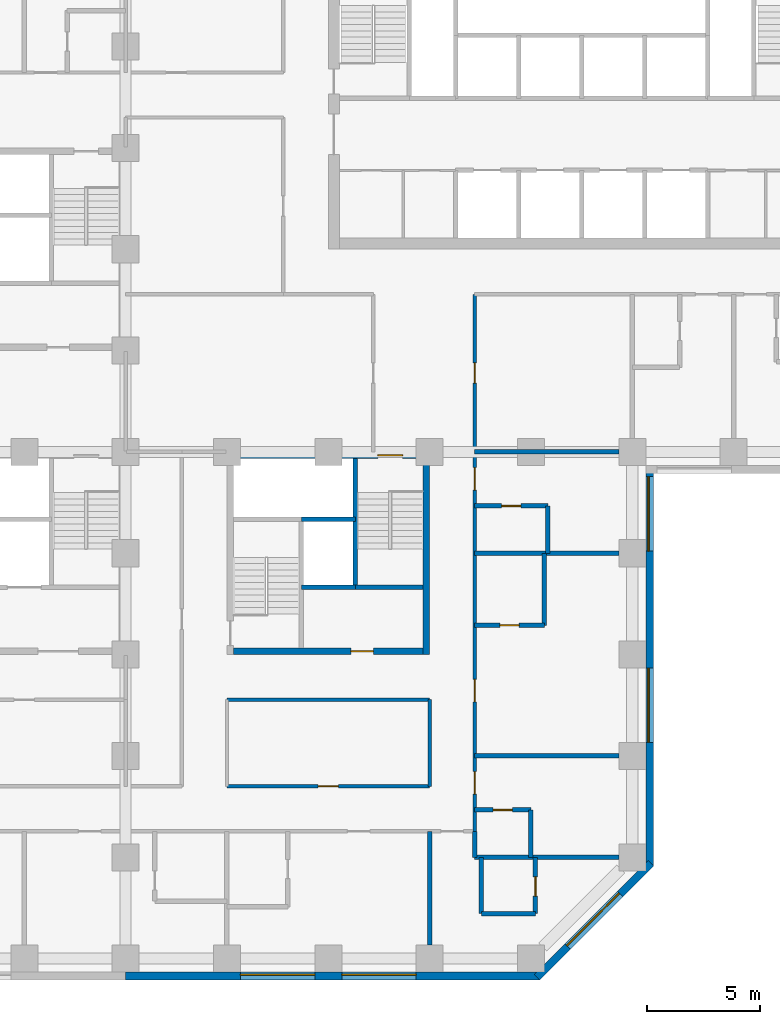
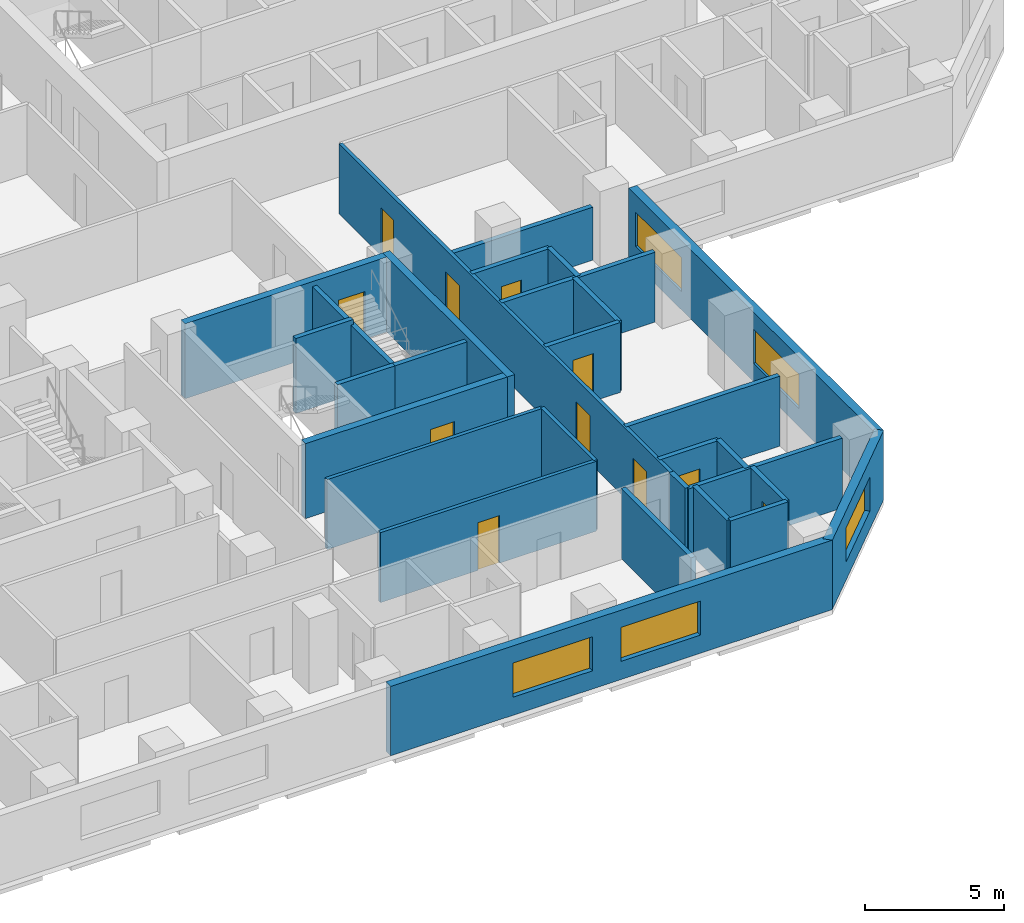
# One storey, part 4 of 12: 29 walls, 11 doors, 5 windows, 16 openings.
"""IFC4 building model written with IfcOpenShell, lengths in metres."""

from ifc_helpers import new_model, si_unit, direction, frame, frame_2d, origin, place, context, subcontext, project, spatial, rectangle, extrude, material, layer, layer_set, constituent, constituent_set, type_object, element, fill, save


model = new_model("IFC4")

# Units and contexts
model_context = context("Model", 3, precision=1e-05, world=origin(), true_north=direction((0.0, 1.0)))
body_context = subcontext(model_context, "Body", "Model", "MODEL_VIEW")
ifc_project = project(units=[si_unit("LENGTHUNIT", "METRE"), si_unit("AREAUNIT", "SQUARE_METRE"), si_unit("VOLUMEUNIT", "CUBIC_METRE"), si_unit("PLANEANGLEUNIT", "RADIAN"), si_unit("MASSUNIT", "GRAM", prefix="KILO")], contexts=[model_context])

# Site, building, storey
site_placement = place(None, origin())
site = spatial("IfcSite", under=ifc_project, at=site_placement, CompositionType="ELEMENT")
building_placement = place(site_placement, origin())
building = spatial("IfcBuilding", under=site, at=building_placement, Name="Quoin Convention Tower", CompositionType="ELEMENT")
storey_placement = place(building_placement, frame((0.0, 0.0, 42.89990234375)))
storey = spatial("IfcBuildingStorey", under=building, at=storey_placement, Name="L10", CompositionType="ELEMENT", Elevation=42.89990234375)

# Wall, openings, windows
ifc_material_1 = material(Name="Brick masonry", Category="masonry")
ifc_layer_1 = layer(ifc_material_1, 0.35009765625)
ifc_layer_set_1 = layer_set([ifc_layer_1], Name="Brick masonry")
wall_type_1 = type_object("IfcWallType", Name="Brick facade wall", PredefinedType="STANDARD", material=ifc_layer_set_1)
wall_1_placement = place(storey_placement, frame((36.0, 17.22509765625, 0.0), z_axis=(0.0, 0.0, 1.0), x_axis=(1.0, 0.0, 0.0)))
wall_1 = element("IfcWall", 1, at=wall_1_placement, inside=storey, type_object=wall_type_1, Name="fw-L10-36000_18000", PredefinedType="STANDARD", context=body_context, shape_type="SweptSolid", body=[
    extrude(rectangle(XDim=18.3935546875, YDim=0.35009765625, at=frame_2d((9.19677734375, 0.0))), origin(), (0.0, 0.0, 1.0), 3.05517578125),
])
opening_1_placement = place(wall_1_placement, frame((5.10009765625, 0.0, 0.800048828125)))
opening_1 = element("IfcOpeningElement", 2, at=opening_1_placement, cuts=wall_1, Name="Opening W-01", PredefinedType="OPENING", context=body_context, shape_type="SweptSolid", body=[
    extrude(rectangle(XDim=3.300048828125, YDim=1.5, at=frame_2d((1.64990234375, 0.75))), frame((0.0, 0.18505859375, 0.0), z_axis=(0.0, -1.0, 0.0), x_axis=(1.0, 0.0, 0.0)), (0.0, 0.0, 1.0), 0.3701171875),
])
opening_2_placement = place(wall_1_placement, frame((9.60009765625, 0.0, 0.800048828125)))
opening_2 = element("IfcOpeningElement", 3, at=opening_2_placement, cuts=wall_1, Name="Opening W-01", PredefinedType="OPENING", context=body_context, shape_type="SweptSolid", body=[
    extrude(rectangle(XDim=3.300048828125, YDim=1.5, at=frame_2d((1.64990234375, 0.75))), frame((0.0, 0.18505859375, 0.0), z_axis=(0.0, -1.0, 0.0), x_axis=(1.0, 0.0, 0.0)), (0.0, 0.0, 1.0), 0.3701171875),
])
ifc_material_2 = material(Name="Aluminium", Category="aluminium")
ifc_constituent_1 = constituent(ifc_material_2, Name="Frame")
ifc_material_3 = material(Name="Insulated glass", Category="glass")
ifc_constituent_2 = constituent(ifc_material_3, Name="Glazing")
ifc_constituent_set = constituent_set(constituents=[ifc_constituent_1, ifc_constituent_2], Name="Aluminium")
window_type = type_object("IfcWindowType", Name="Hotel strip window", PartitioningType="DOUBLE_PANEL_VERTICAL", PredefinedType="WINDOW", material=ifc_constituent_set)
window_1_placement = place(opening_1_placement, origin())
window_1 = element("IfcWindow", 4, at=window_1_placement, inside=storey, type_object=window_type, Name="win-L10-42750_17225", OverallHeight=1.5, OverallWidth=3.300048828125, PartitioningType="SINGLE_PANEL", PredefinedType="WINDOW", context=body_context, shape_type="SweptSolid", body=[
    extrude(rectangle(XDim=3.300048828125, YDim=1.5, at=frame_2d((1.64990234375, 0.75))), frame((0.0, 0.0849609375, 0.0), z_axis=(0.0, -1.0, 0.0), x_axis=(1.0, 0.0, 0.0)), (0.0, 0.0, 1.0), 0.06005859375),
])
fill(opening_1, window_1)
window_2_placement = place(opening_2_placement, origin())
window_2 = element("IfcWindow", 5, at=window_2_placement, inside=storey, type_object=window_type, Name="win-L10-47250_17225", OverallHeight=1.5, OverallWidth=3.300048828125, PartitioningType="SINGLE_PANEL", PredefinedType="WINDOW", context=body_context, shape_type="SweptSolid", body=[
    extrude(rectangle(XDim=3.300048828125, YDim=1.5, at=frame_2d((1.64990234375, 0.75))), frame((0.0, 0.0849609375, 0.0), z_axis=(0.0, -1.0, 0.0), x_axis=(1.0, 0.0, 0.0)), (0.0, 0.0, 1.0), 0.06005859375),
])
fill(opening_2, window_2)

# Wall, opening, window
wall_2_placement = place(storey_placement, frame((54.269775390625, 17.173583984375, 0.0), z_axis=(0.0, 0.0, 1.0), x_axis=(0.707106781187, 0.707106781187, 0.0)))
wall_2 = element("IfcWall", 6, at=wall_2_placement, inside=storey, type_object=wall_type_1, Name="fw-L10-54000_18000", PredefinedType="STANDARD", context=body_context, shape_type="SweptSolid", body=[
    extrude(rectangle(XDim=7.151123046875, YDim=0.35009765625, at=frame_2d((3.57568359375, 0.0))), origin(), (0.0, 0.0, 1.0), 3.05517578125),
])
opening_3_placement = place(wall_2_placement, frame((1.925537109375, 0.0, 0.800048828125)))
opening_3 = element("IfcOpeningElement", 7, at=opening_3_placement, cuts=wall_2, Name="Opening W-01", PredefinedType="OPENING", context=body_context, shape_type="SweptSolid", body=[
    extrude(rectangle(XDim=3.300048828125, YDim=1.5, at=frame_2d((1.64990234375, 0.75))), frame((0.0, 0.18505859375, 0.0), z_axis=(0.0, -1.0, 0.0), x_axis=(1.0, 0.0, 0.0)), (0.0, 0.0, 1.0), 0.3701171875),
])
window_3_placement = place(opening_3_placement, origin())
window_3 = element("IfcWindow", 8, at=window_3_placement, inside=storey, type_object=window_type, Name="win-L10-56798_19702", OverallHeight=1.5, OverallWidth=3.300048828125, PartitioningType="SINGLE_PANEL", PredefinedType="WINDOW", context=body_context, shape_type="SweptSolid", body=[
    extrude(rectangle(XDim=3.300048828125, YDim=1.5, at=frame_2d((1.64990234375, 0.75))), frame((0.0, 0.0849609375, 0.0), z_axis=(0.0, -1.0, 0.0), x_axis=(1.0, 0.0, 0.0)), (0.0, 0.0, 1.0), 0.06005859375),
])
fill(opening_3, window_3)

# Wall, openings, windows
wall_3_placement = place(storey_placement, frame((59.27490234375, 22.1064453125, 0.0), z_axis=(0.0, 0.0, 1.0), x_axis=(0.0, 1.0, 0.0)))
wall_3 = element("IfcWall", 9, at=wall_3_placement, inside=storey, type_object=wall_type_1, Name="fw-L10-58500_22500", PredefinedType="STANDARD", context=body_context, shape_type="SweptSolid", body=[
    extrude(rectangle(XDim=17.79345703125, YDim=0.35009765625, at=frame_2d((8.896728515625, 0.0))), origin(), (0.0, 0.0, 1.0), 3.05517578125),
])
opening_4_placement = place(wall_3_placement, frame((5.493408203125, 0.0, 0.800048828125)))
opening_4 = element("IfcOpeningElement", 10, at=opening_4_placement, cuts=wall_3, Name="Opening W-01", PredefinedType="OPENING", context=body_context, shape_type="SweptSolid", body=[
    extrude(rectangle(XDim=3.300048828125, YDim=1.5, at=frame_2d((1.64990234375, 0.75))), frame((0.0, 0.18505859375, 0.0), z_axis=(0.0, -1.0, 0.0), x_axis=(1.0, 0.0, 0.0)), (0.0, 0.0, 1.0), 0.3701171875),
])
opening_5_placement = place(wall_3_placement, frame((13.993408203125, 0.0, 0.800048828125)))
opening_5 = element("IfcOpeningElement", 11, at=opening_5_placement, cuts=wall_3, Name="Opening W-01", PredefinedType="OPENING", context=body_context, shape_type="SweptSolid", body=[
    extrude(rectangle(XDim=3.300048828125, YDim=1.5, at=frame_2d((1.64990234375, 0.75))), frame((0.0, 0.18505859375, 0.0), z_axis=(0.0, -1.0, 0.0), x_axis=(1.0, 0.0, 0.0)), (0.0, 0.0, 1.0), 0.3701171875),
])
window_4_placement = place(opening_4_placement, origin())
window_4 = element("IfcWindow", 12, at=window_4_placement, inside=storey, type_object=window_type, Name="win-L10-59275_29250", OverallHeight=1.5, OverallWidth=3.300048828125, PartitioningType="SINGLE_PANEL", PredefinedType="WINDOW", context=body_context, shape_type="SweptSolid", body=[
    extrude(rectangle(XDim=3.300048828125, YDim=1.5, at=frame_2d((1.64990234375, 0.75))), frame((0.0, 0.0849609375, 0.0), z_axis=(0.0, -1.0, 0.0), x_axis=(1.0, 0.0, 0.0)), (0.0, 0.0, 1.0), 0.06005859375),
])
fill(opening_4, window_4)
window_5_placement = place(opening_5_placement, origin())
window_5 = element("IfcWindow", 13, at=window_5_placement, inside=storey, type_object=window_type, Name="win-L10-59275_38250", OverallHeight=1.5, OverallWidth=3.300048828125, PartitioningType="SINGLE_PANEL", PredefinedType="WINDOW", context=body_context, shape_type="SweptSolid", body=[
    extrude(rectangle(XDim=3.300048828125, YDim=1.5, at=frame_2d((1.64990234375, 0.75))), frame((0.0, 0.0849609375, 0.0), z_axis=(0.0, -1.0, 0.0), x_axis=(1.0, 0.0, 0.0)), (0.0, 0.0, 1.0), 0.06005859375),
])
fill(opening_5, window_5)

# Walls
ifc_material_4 = material(Name="Concrete C50", Category="concrete")
ifc_layer_2 = layer(ifc_material_4, 0.199951171875)
ifc_layer_set_2 = layer_set([ifc_layer_2], Name="Concrete C50")
wall_type_2 = type_object("IfcWallType", Name="Core shaft wall", PredefinedType="SOLIDWALL", material=ifc_layer_set_2)
wall_4_placement = place(storey_placement, frame((43.800048828125, 34.5, 0.0), z_axis=(0.0, 0.0, 1.0), x_axis=(1.0, 0.0, 0.0)))
element("IfcWall", 14, at=wall_4_placement, inside=storey, type_object=wall_type_2, Name="cr-P3-L10-h3000_3300", PredefinedType="SOLIDWALL", context=body_context, shape_type="SweptSolid", body=[
    extrude(rectangle(XDim=2.39990234375, YDim=0.199951171875, at=frame_2d((1.199951171875, 0.0))), origin(), (0.0, 0.0, 1.0), 3.080078125),
])
wall_5_placement = place(storey_placement, frame((46.199951171875, 34.5, 0.0), z_axis=(0.0, 0.0, 1.0), x_axis=(1.0, 0.0, 0.0)))
element("IfcWall", 15, at=wall_5_placement, inside=storey, type_object=wall_type_2, Name="cr-P3-L10-h3000_5700", PredefinedType="SOLIDWALL", context=body_context, shape_type="SweptSolid", body=[
    extrude(rectangle(XDim=3.0, YDim=0.199951171875, at=frame_2d((1.5, 0.0))), origin(), (0.0, 0.0, 1.0), 3.080078125),
])
wall_6_placement = place(storey_placement, frame((46.199951171875, 34.5, 0.0), z_axis=(0.0, 0.0, 1.0), x_axis=(0.0, 1.0, 0.0)))
element("IfcWall", 16, at=wall_6_placement, inside=storey, type_object=wall_type_2, Name="cr-P3-L10-v5700_3000", PredefinedType="SOLIDWALL", context=body_context, shape_type="SweptSolid", body=[
    extrude(rectangle(XDim=5.699951171875, YDim=0.199951171875, at=frame_2d((2.85009765625, 0.0))), origin(), (0.0, 0.0, 1.0), 3.080078125),
])
ifc_layer_3 = layer(ifc_material_4, 0.199951171875)
ifc_layer_set_3 = layer_set([ifc_layer_3], Name="Concrete C50")
wall_type_3 = type_object("IfcWallType", Name="Core shaft wall to the floor level over", PredefinedType="SOLIDWALL", material=ifc_layer_set_3)
wall_7_placement = place(storey_placement, frame((43.800048828125, 37.5, 0.0), z_axis=(0.0, 0.0, 1.0), x_axis=(1.0, 0.0, 0.0)))
element("IfcWall", 17, at=wall_7_placement, inside=storey, type_object=wall_type_3, Name="cr-P3-L10-h6000_3300", PredefinedType="SOLIDWALL", context=body_context, shape_type="SweptSolid", body=[
    extrude(rectangle(XDim=2.39990234375, YDim=0.199951171875, at=frame_2d((1.199951171875, 0.0))), origin(), (0.0, 0.0, 1.0), 3.300048828125),
])

# Wall, opening, door
ifc_material_5 = material(Name="Concrete C80", Category="concrete")
ifc_layer_4 = layer(ifc_material_5, 0.300048828125)
ifc_layer_set_4 = layer_set([ifc_layer_4], Name="Concrete C80")
wall_type_4 = type_object("IfcWallType", Name="RC CORE WALL 300 C80", PredefinedType="SHEAR", material=ifc_layer_set_4)
wall_8_placement = place(storey_placement, frame((40.800048828125, 31.64990234375, 0.0), z_axis=(0.0, 0.0, 1.0), x_axis=(1.0, 0.0, 0.0)))
wall_8 = element("IfcWall", 18, at=wall_8_placement, inside=storey, type_object=wall_type_4, Name="cwl-P3-L10-S", PredefinedType="SHEAR", context=body_context, shape_type="SweptSolid", body=[
    extrude(rectangle(XDim=8.39990234375, YDim=0.300048828125, at=frame_2d((4.199951171875, 0.0))), origin(), (0.0, 0.0, 1.0), 3.300048828125),
])
opening_6_placement = place(wall_8_placement, frame((5.199951171875, 0.0, 0.0)))
opening_6 = element("IfcOpeningElement", 19, at=opening_6_placement, cuts=wall_8, Name="Opening DCV4-43", PredefinedType="OPENING", context=body_context, shape_type="SweptSolid", body=[
    extrude(rectangle(XDim=1.0, YDim=2.10009765625, at=frame_2d((0.5, 1.050048828125))), frame((0.0, 0.159912109375, 0.0), z_axis=(0.0, -1.0, 0.0), x_axis=(1.0, 0.0, 0.0)), (0.0, 0.0, 1.0), 0.320068359375),
])
ifc_material_6 = material(Name="Steel door leaf", Category="steel")
door_type_1 = type_object("IfcDoorType", Name="Service door 1000 x 2100", OperationType="SINGLE_SWING_LEFT", PredefinedType="DOOR", material=ifc_material_6)
door_1_placement = place(opening_6_placement, origin())
door_1 = element("IfcDoor", 20, at=door_1_placement, inside=storey, type_object=door_type_1, Name="cd-P3-L10-R2-S", OperationType="SINGLE_SWING_LEFT", OverallHeight=2.10009765625, OverallWidth=1.0, PredefinedType="DOOR", context=body_context, shape_type="SweptSolid", body=[
    extrude(rectangle(XDim=1.0, YDim=2.10009765625, at=frame_2d((0.5, 1.050048828125))), frame((0.0, 0.02490234375, 0.0), z_axis=(0.0, -1.0, 0.0), x_axis=(1.0, 0.0, 0.0)), (0.0, 0.0, 1.0), 0.050048828125),
])
fill(opening_6, door_1)

wall_9_placement = place(storey_placement, frame((40.800048828125, 40.35009765625, 0.0), z_axis=(0.0, 0.0, 1.0), x_axis=(1.0, 0.0, 0.0)))
wall_9 = element("IfcWall", 21, at=wall_9_placement, inside=storey, type_object=wall_type_4, Name="cwl-P3-L10-N", PredefinedType="SHEAR", context=body_context, shape_type="SweptSolid", body=[
    extrude(rectangle(XDim=8.39990234375, YDim=0.300048828125, at=frame_2d((4.199951171875, 0.0))), origin(), (0.0, 0.0, 1.0), 3.300048828125),
])
opening_7_placement = place(wall_9_placement, frame((6.39990234375, 0.0, 0.0)))
opening_7 = element("IfcOpeningElement", 22, at=opening_7_placement, cuts=wall_9, Name="Opening SD6", PredefinedType="OPENING", context=body_context, shape_type="SweptSolid", body=[
    extrude(rectangle(XDim=1.10009765625, YDim=2.10009765625, at=frame_2d((0.550048828125, 1.050048828125))), frame((0.0, 0.159912109375, 0.0), z_axis=(0.0, -1.0, 0.0), x_axis=(1.0, 0.0, 0.0)), (0.0, 0.0, 1.0), 0.320068359375),
])
door_type_2 = type_object("IfcDoorType", Name="Stair door 1100 x 2100", OperationType="SINGLE_SWING_RIGHT", PredefinedType="DOOR", material=ifc_material_6)
door_2_placement = place(opening_7_placement, frame((1.10009765625, 0.0, 0.0), z_axis=(0.0, 0.0, 1.0), x_axis=(-1.0, 0.0, 0.0)))
door_2 = element("IfcDoor", 23, at=door_2_placement, inside=storey, type_object=door_type_2, Name="cd-P3-L10-SB-N", OperationType="SINGLE_SWING_LEFT", OverallHeight=2.10009765625, OverallWidth=1.10009765625, PredefinedType="DOOR", context=body_context, shape_type="SweptSolid", body=[
    extrude(rectangle(XDim=1.10009765625, YDim=2.10009765625, at=frame_2d((0.550048828125, 1.050048828125))), frame((0.0, 0.02490234375, 0.0), z_axis=(0.0, -1.0, 0.0), x_axis=(1.0, 0.0, 0.0)), (0.0, 0.0, 1.0), 0.050048828125),
])
fill(opening_7, door_2)

# Walls
wall_10_placement = place(storey_placement, frame((49.35009765625, 31.5, 0.0), z_axis=(0.0, 0.0, 1.0), x_axis=(0.0, 1.0, 0.0)))
element("IfcWall", 24, at=wall_10_placement, inside=storey, type_object=wall_type_4, Name="cwl-P3-L10-E", PredefinedType="SHEAR", context=body_context, shape_type="SweptSolid", body=[
    extrude(rectangle(XDim=9.0, YDim=0.300048828125, at=frame_2d((4.5, 0.0))), origin(), (0.0, 0.0, 1.0), 3.300048828125),
])
ifc_layer_5 = layer(ifc_material_4, 0.199951171875)
ifc_layer_set_5 = layer_set([ifc_layer_5], Name="Concrete C50")
wall_type_5 = type_object("IfcWallType", Name="RC party wall", PredefinedType="SOLIDWALL", material=ifc_layer_set_5)
wall_11_placement = place(storey_placement, frame((49.5, 18.60009765625, 0.0), z_axis=(0.0, 0.0, 1.0), x_axis=(0.0, 1.0, 0.0)))
element("IfcWall", 25, at=wall_11_placement, inside=storey, type_object=wall_type_5, Name="pw-L10-040", PredefinedType="SOLIDWALL", context=body_context, shape_type="SweptSolid", body=[
    extrude(rectangle(XDim=5.0498046875, YDim=0.199951171875, at=frame_2d((2.52490234375, 0.0))), origin(), (0.0, 0.0, 1.0), 3.080078125),
])
wall_12_placement = place(storey_placement, frame((51.800048828125, 20.0, 0.0), z_axis=(0.0, 0.0, 1.0), x_axis=(1.0, 0.0, 0.0)))
element("IfcWall", 26, at=wall_12_placement, inside=storey, type_object=wall_type_5, Name="pw-L10-044", PredefinedType="SOLIDWALL", context=body_context, shape_type="SweptSolid", body=[
    extrude(rectangle(XDim=2.39990234375, YDim=0.199951171875, at=frame_2d((1.199951171875, 0.0))), origin(), (0.0, 0.0, 1.0), 3.080078125),
])
wall_13_placement = place(storey_placement, frame((51.800048828125, 20.0, 0.0), z_axis=(0.0, 0.0, 1.0), x_axis=(0.0, 1.0, 0.0)))
element("IfcWall", 27, at=wall_13_placement, inside=storey, type_object=wall_type_5, Name="pw-L10-045", PredefinedType="SOLIDWALL", context=body_context, shape_type="SweptSolid", body=[
    extrude(rectangle(XDim=2.5, YDim=0.199951171875, at=frame_2d((1.25, 0.0))), origin(), (0.0, 0.0, 1.0), 3.080078125),
])

# Wall, opening, door
wall_14_placement = place(storey_placement, frame((54.199951171875, 20.0, 0.0), z_axis=(0.0, 0.0, 1.0), x_axis=(0.0, 1.0, 0.0)))
wall_14 = element("IfcWall", 28, at=wall_14_placement, inside=storey, type_object=wall_type_5, Name="pw-L10-046", PredefinedType="SOLIDWALL", context=body_context, shape_type="SweptSolid", body=[
    extrude(rectangle(XDim=2.5, YDim=0.199951171875, at=frame_2d((1.25, 0.0))), origin(), (0.0, 0.0, 1.0), 3.080078125),
])
opening_8_placement = place(wall_14_placement, frame((0.77490234375, 0.0, 0.0)))
opening_8 = element("IfcOpeningElement", 29, at=opening_8_placement, cuts=wall_14, Name="Opening DHOTEL-F-40", PredefinedType="OPENING", context=body_context, shape_type="SweptSolid", body=[
    extrude(rectangle(XDim=0.85009765625, YDim=2.10009765625, at=frame_2d((0.425048828125, 1.050048828125))), frame((0.0, 0.10986328125, 0.0), z_axis=(0.0, -1.0, 0.0), x_axis=(1.0, 0.0, 0.0)), (0.0, 0.0, 1.0), 0.219970703125),
])
door_type_3 = type_object("IfcDoorType", Name="Bathroom door", OperationType="SINGLE_SWING_LEFT", PredefinedType="DOOR", material=ifc_material_6)
door_3_placement = place(opening_8_placement, frame((0.85009765625, 0.0, 0.0), z_axis=(0.0, 0.0, 1.0), x_axis=(-1.0, 0.0, 0.0)))
door_3 = element("IfcDoor", 30, at=door_3_placement, inside=storey, type_object=door_type_3, Name="dr-L10-058", OperationType="SINGLE_SWING_LEFT", OverallHeight=2.10009765625, OverallWidth=0.85009765625, PredefinedType="DOOR", context=body_context, shape_type="SweptSolid", body=[
    extrude(rectangle(XDim=0.85009765625, YDim=2.10009765625, at=frame_2d((0.425048828125, 1.050048828125))), frame((0.0, 0.02490234375, 0.0), z_axis=(0.0, -1.0, 0.0), x_axis=(1.0, 0.0, 0.0)), (0.0, 0.0, 1.0), 0.050048828125),
])
fill(opening_8, door_3)

# Walls
wall_15_placement = place(storey_placement, frame((51.5, 22.5, 0.0), z_axis=(0.0, 0.0, 1.0), x_axis=(1.0, 0.0, 0.0)))
element("IfcWall", 31, at=wall_15_placement, inside=storey, type_object=wall_type_5, Name="pw-L10-056", PredefinedType="SOLIDWALL", context=body_context, shape_type="SweptSolid", body=[
    extrude(rectangle(XDim=6.39990234375, YDim=0.199951171875, at=frame_2d((3.199951171875, 0.0))), origin(), (0.0, 0.0, 1.0), 3.080078125),
])
wall_16_placement = place(storey_placement, frame((51.5, 22.5, 0.0), z_axis=(0.0, 0.0, 1.0), x_axis=(0.0, 1.0, 0.0)))
element("IfcWall", 32, at=wall_16_placement, inside=storey, type_object=wall_type_5, Name="pw-L10-057", PredefinedType="SOLIDWALL", context=body_context, shape_type="SweptSolid", body=[
    extrude(rectangle(XDim=1.14990234375, YDim=0.199951171875, at=frame_2d((0.574951171875, 0.0))), origin(), (0.0, 0.0, 1.0), 3.080078125),
])
wall_17_placement = place(storey_placement, frame((54.0, 22.5, 0.0), z_axis=(0.0, 0.0, 1.0), x_axis=(0.0, 1.0, 0.0)))
element("IfcWall", 33, at=wall_17_placement, inside=storey, type_object=wall_type_5, Name="pw-L10-058", PredefinedType="SOLIDWALL", context=body_context, shape_type="SweptSolid", body=[
    extrude(rectangle(XDim=2.10009765625, YDim=0.199951171875, at=frame_2d((1.050048828125, 0.0))), origin(), (0.0, 0.0, 1.0), 3.080078125),
])

# Wall, opening, door
wall_18_placement = place(storey_placement, frame((51.5, 24.60009765625, 0.0), z_axis=(0.0, 0.0, 1.0), x_axis=(1.0, 0.0, 0.0)))
wall_18 = element("IfcWall", 34, at=wall_18_placement, inside=storey, type_object=wall_type_5, Name="pw-L10-059", PredefinedType="SOLIDWALL", context=body_context, shape_type="SweptSolid", body=[
    extrude(rectangle(XDim=2.5, YDim=0.199951171875, at=frame_2d((1.25, 0.0))), origin(), (0.0, 0.0, 1.0), 3.080078125),
])
opening_9_placement = place(wall_18_placement, frame((0.824951171875, 0.0, 0.0)))
opening_9 = element("IfcOpeningElement", 35, at=opening_9_placement, cuts=wall_18, Name="Opening DHOTEL-F-44", PredefinedType="OPENING", context=body_context, shape_type="SweptSolid", body=[
    extrude(rectangle(XDim=0.85009765625, YDim=2.10009765625, at=frame_2d((0.425048828125, 1.050048828125))), frame((0.0, 0.10986328125, 0.0), z_axis=(0.0, -1.0, 0.0), x_axis=(1.0, 0.0, 0.0)), (0.0, 0.0, 1.0), 0.219970703125),
])
door_4_placement = place(opening_9_placement, frame((0.85009765625, 0.0, 0.0), z_axis=(0.0, 0.0, 1.0), x_axis=(-1.0, 0.0, 0.0)))
door_4 = element("IfcDoor", 36, at=door_4_placement, inside=storey, type_object=door_type_3, Name="dr-L10-018", OperationType="SINGLE_SWING_RIGHT", OverallHeight=2.10009765625, OverallWidth=0.85009765625, PredefinedType="DOOR", context=body_context, shape_type="SweptSolid", body=[
    extrude(rectangle(XDim=0.85009765625, YDim=2.10009765625, at=frame_2d((0.425048828125, 1.050048828125))), frame((0.0, 0.02490234375, 0.0), z_axis=(0.0, -1.0, 0.0), x_axis=(1.0, 0.0, 0.0)), (0.0, 0.0, 1.0), 0.050048828125),
])
fill(opening_9, door_4)

# Wall
wall_19_placement = place(storey_placement, frame((51.5, 27.0, 0.0), z_axis=(0.0, 0.0, 1.0), x_axis=(1.0, 0.0, 0.0)))
element("IfcWall", 37, at=wall_19_placement, inside=storey, type_object=wall_type_5, Name="pw-L10-062", PredefinedType="SOLIDWALL", context=body_context, shape_type="SweptSolid", body=[
    extrude(rectangle(XDim=6.39990234375, YDim=0.199951171875, at=frame_2d((3.199951171875, 0.0))), origin(), (0.0, 0.0, 1.0), 3.080078125),
])

# Wall, opening, door
wall_20_placement = place(storey_placement, frame((51.5, 32.800048828125, 0.0), z_axis=(0.0, 0.0, 1.0), x_axis=(1.0, 0.0, 0.0)))
wall_20 = element("IfcWall", 38, at=wall_20_placement, inside=storey, type_object=wall_type_5, Name="pw-L10-063", PredefinedType="SOLIDWALL", context=body_context, shape_type="SweptSolid", body=[
    extrude(rectangle(XDim=3.10009765625, YDim=0.199951171875, at=frame_2d((1.550048828125, 0.0))), origin(), (0.0, 0.0, 1.0), 3.080078125),
])
opening_10_placement = place(wall_20_placement, frame((1.125, 0.0, 0.0)))
opening_10 = element("IfcOpeningElement", 39, at=opening_10_placement, cuts=wall_20, Name="Opening DHOTEL-F-46", PredefinedType="OPENING", context=body_context, shape_type="SweptSolid", body=[
    extrude(rectangle(XDim=0.85009765625, YDim=2.10009765625, at=frame_2d((0.425048828125, 1.050048828125))), frame((0.0, 0.10986328125, 0.0), z_axis=(0.0, -1.0, 0.0), x_axis=(1.0, 0.0, 0.0)), (0.0, 0.0, 1.0), 0.219970703125),
])
door_5_placement = place(opening_10_placement, frame((0.85009765625, 0.0, 0.0), z_axis=(0.0, 0.0, 1.0), x_axis=(-1.0, 0.0, 0.0)))
door_5 = element("IfcDoor", 40, at=door_5_placement, inside=storey, type_object=door_type_3, Name="dr-L10-020", OperationType="SINGLE_SWING_RIGHT", OverallHeight=2.10009765625, OverallWidth=0.85009765625, PredefinedType="DOOR", context=body_context, shape_type="SweptSolid", body=[
    extrude(rectangle(XDim=0.85009765625, YDim=2.10009765625, at=frame_2d((0.425048828125, 1.050048828125))), frame((0.0, 0.02490234375, 0.0), z_axis=(0.0, -1.0, 0.0), x_axis=(1.0, 0.0, 0.0)), (0.0, 0.0, 1.0), 0.050048828125),
])
fill(opening_10, door_5)

# Walls
wall_21_placement = place(storey_placement, frame((54.60009765625, 32.800048828125, 0.0), z_axis=(0.0, 0.0, 1.0), x_axis=(0.0, 1.0, 0.0)))
element("IfcWall", 41, at=wall_21_placement, inside=storey, type_object=wall_type_5, Name="pw-L10-064", PredefinedType="SOLIDWALL", context=body_context, shape_type="SweptSolid", body=[
    extrude(rectangle(XDim=3.199951171875, YDim=0.199951171875, at=frame_2d((1.60009765625, 0.0))), origin(), (0.0, 0.0, 1.0), 3.080078125),
])
wall_22_placement = place(storey_placement, frame((51.5, 36.0, 0.0), z_axis=(0.0, 0.0, 1.0), x_axis=(1.0, 0.0, 0.0)))
element("IfcWall", 42, at=wall_22_placement, inside=storey, type_object=wall_type_5, Name="pw-L10-069", PredefinedType="SOLIDWALL", context=body_context, shape_type="SweptSolid", body=[
    extrude(rectangle(XDim=6.39990234375, YDim=0.199951171875, at=frame_2d((3.199951171875, 0.0))), origin(), (0.0, 0.0, 1.0), 3.080078125),
])
wall_23_placement = place(storey_placement, frame((54.75, 36.0, 0.0), z_axis=(0.0, 0.0, 1.0), x_axis=(0.0, 1.0, 0.0)))
element("IfcWall", 43, at=wall_23_placement, inside=storey, type_object=wall_type_5, Name="pw-L10-070", PredefinedType="SOLIDWALL", context=body_context, shape_type="SweptSolid", body=[
    extrude(rectangle(XDim=2.10009765625, YDim=0.199951171875, at=frame_2d((1.050048828125, 0.0))), origin(), (0.0, 0.0, 1.0), 3.080078125),
])

# Wall, opening, door
wall_24_placement = place(storey_placement, frame((51.5, 38.10009765625, 0.0), z_axis=(0.0, 0.0, 1.0), x_axis=(1.0, 0.0, 0.0)))
wall_24 = element("IfcWall", 44, at=wall_24_placement, inside=storey, type_object=wall_type_5, Name="pw-L10-071", PredefinedType="SOLIDWALL", context=body_context, shape_type="SweptSolid", body=[
    extrude(rectangle(XDim=3.25, YDim=0.199951171875, at=frame_2d((1.625, 0.0))), origin(), (0.0, 0.0, 1.0), 3.080078125),
])
opening_11_placement = place(wall_24_placement, frame((1.199951171875, 0.0, 0.0)))
opening_11 = element("IfcOpeningElement", 45, at=opening_11_placement, cuts=wall_24, Name="Opening DHOTEL-F-48", PredefinedType="OPENING", context=body_context, shape_type="SweptSolid", body=[
    extrude(rectangle(XDim=0.85009765625, YDim=2.10009765625, at=frame_2d((0.425048828125, 1.050048828125))), frame((0.0, 0.10986328125, 0.0), z_axis=(0.0, -1.0, 0.0), x_axis=(1.0, 0.0, 0.0)), (0.0, 0.0, 1.0), 0.219970703125),
])
door_6_placement = place(opening_11_placement, origin())
door_6 = element("IfcDoor", 46, at=door_6_placement, inside=storey, type_object=door_type_3, Name="dr-L10-022", OperationType="SINGLE_SWING_LEFT", OverallHeight=2.10009765625, OverallWidth=0.85009765625, PredefinedType="DOOR", context=body_context, shape_type="SweptSolid", body=[
    extrude(rectangle(XDim=0.85009765625, YDim=2.10009765625, at=frame_2d((0.425048828125, 1.050048828125))), frame((0.0, 0.02490234375, 0.0), z_axis=(0.0, -1.0, 0.0), x_axis=(1.0, 0.0, 0.0)), (0.0, 0.0, 1.0), 0.050048828125),
])
fill(opening_11, door_6)

# Wall, openings, doors
ifc_material_7 = material(Name="Plasterboard")
ifc_layer_6 = layer(ifc_material_7, 0.012451171875, Name="Finish")
ifc_material_8 = material(Name="Steel stud framing", Category="steel")
ifc_layer_7 = layer(ifc_material_8, 0.125, Name="Structure")
ifc_layer_8 = layer(ifc_material_7, 0.012451171875, Name="Finish")
ifc_layer_set_6 = layer_set([ifc_layer_6, ifc_layer_7, ifc_layer_8], Name="Steel stud framing")
wall_type_6 = type_object("IfcWallType", Name="corridor partition", PredefinedType="PARTITIONING", material=ifc_layer_set_6)
wall_25_placement = place(storey_placement, frame((51.5, 23.64990234375, 0.0), z_axis=(0.0, 0.0, 1.0), x_axis=(0.0, 1.0, 0.0)))
wall_25 = element("IfcWall", 47, at=wall_25_placement, inside=storey, type_object=wall_type_6, Name="pw-L10-005", PredefinedType="PARTITIONING", context=body_context, shape_type="SweptSolid", body=[
    extrude(rectangle(XDim=23.85009765625, YDim=0.14990234375, at=frame_2d((11.925048828125, 0.0))), origin(), (0.0, 0.0, 1.0), 3.080078125),
])
opening_12_placement = place(wall_25_placement, frame((1.64990234375, 0.0, 0.0)))
opening_12 = element("IfcOpeningElement", 48, at=opening_12_placement, cuts=wall_25, Name="Opening DHOTEL-F-10", PredefinedType="OPENING", context=body_context, shape_type="SweptSolid", body=[
    extrude(rectangle(XDim=1.0, YDim=2.10009765625, at=frame_2d((0.5, 1.050048828125))), frame((0.0, 0.0849609375, 0.0), z_axis=(0.0, -1.0, 0.0), x_axis=(1.0, 0.0, 0.0)), (0.0, 0.0, 1.0), 0.169921875),
])
opening_13_placement = place(wall_25_placement, frame((5.75, 0.0, 0.0)))
opening_13 = element("IfcOpeningElement", 49, at=opening_13_placement, cuts=wall_25, Name="Opening DHOTEL-F-11", PredefinedType="OPENING", context=body_context, shape_type="SweptSolid", body=[
    extrude(rectangle(XDim=1.0, YDim=2.10009765625, at=frame_2d((0.5, 1.050048828125))), frame((0.0, 0.0849609375, 0.0), z_axis=(0.0, -1.0, 0.0), x_axis=(1.0, 0.0, 0.0)), (0.0, 0.0, 1.0), 0.169921875),
])
opening_14_placement = place(wall_25_placement, frame((15.14990234375, 0.0, 0.0)))
opening_14 = element("IfcOpeningElement", 50, at=opening_14_placement, cuts=wall_25, Name="Opening DHOTEL-F-12", PredefinedType="OPENING", context=body_context, shape_type="SweptSolid", body=[
    extrude(rectangle(XDim=1.0, YDim=2.10009765625, at=frame_2d((0.5, 1.050048828125))), frame((0.0, 0.0849609375, 0.0), z_axis=(0.0, -1.0, 0.0), x_axis=(1.0, 0.0, 0.0)), (0.0, 0.0, 1.0), 0.169921875),
])
opening_15_placement = place(wall_25_placement, frame((19.89990234375, 0.0, 0.0)))
opening_15 = element("IfcOpeningElement", 51, at=opening_15_placement, cuts=wall_25, Name="Opening DHOTEL-F-13", PredefinedType="OPENING", context=body_context, shape_type="SweptSolid", body=[
    extrude(rectangle(XDim=0.89990234375, YDim=2.10009765625, at=frame_2d((0.449951171875, 1.050048828125))), frame((0.0, 0.0849609375, 0.0), z_axis=(0.0, -1.0, 0.0), x_axis=(1.0, 0.0, 0.0)), (0.0, 0.0, 1.0), 0.169921875),
])
door_type_4 = type_object("IfcDoorType", Name="Hotel room door", OperationType="SINGLE_SWING_LEFT", PredefinedType="DOOR", material=ifc_material_6)
door_7_placement = place(opening_12_placement, frame((1.0, 0.0, 0.0), z_axis=(0.0, 0.0, 1.0), x_axis=(-1.0, 0.0, 0.0)))
door_7 = element("IfcDoor", 52, at=door_7_placement, inside=storey, type_object=door_type_4, Name="dr-L10-017", OperationType="SINGLE_SWING_LEFT", OverallHeight=2.10009765625, OverallWidth=1.0, PredefinedType="DOOR", context=body_context, shape_type="SweptSolid", body=[
    extrude(rectangle(XDim=1.0, YDim=2.10009765625, at=frame_2d((0.5, 1.050048828125))), frame((0.0, 0.02490234375, 0.0), z_axis=(0.0, -1.0, 0.0), x_axis=(1.0, 0.0, 0.0)), (0.0, 0.0, 1.0), 0.050048828125),
])
fill(opening_12, door_7)
door_8_placement = place(opening_13_placement, frame((1.0, 0.0, 0.0), z_axis=(0.0, 0.0, 1.0), x_axis=(-1.0, 0.0, 0.0)))
door_8 = element("IfcDoor", 53, at=door_8_placement, inside=storey, type_object=door_type_4, Name="dr-L10-019", OperationType="SINGLE_SWING_LEFT", OverallHeight=2.10009765625, OverallWidth=1.0, PredefinedType="DOOR", context=body_context, shape_type="SweptSolid", body=[
    extrude(rectangle(XDim=1.0, YDim=2.10009765625, at=frame_2d((0.5, 1.050048828125))), frame((0.0, 0.02490234375, 0.0), z_axis=(0.0, -1.0, 0.0), x_axis=(1.0, 0.0, 0.0)), (0.0, 0.0, 1.0), 0.050048828125),
])
fill(opening_13, door_8)
door_9_placement = place(opening_14_placement, frame((1.0, 0.0, 0.0), z_axis=(0.0, 0.0, 1.0), x_axis=(-1.0, 0.0, 0.0)))
door_9 = element("IfcDoor", 54, at=door_9_placement, inside=storey, type_object=door_type_4, Name="dr-L10-021", OperationType="SINGLE_SWING_LEFT", OverallHeight=2.10009765625, OverallWidth=1.0, PredefinedType="DOOR", context=body_context, shape_type="SweptSolid", body=[
    extrude(rectangle(XDim=1.0, YDim=2.10009765625, at=frame_2d((0.5, 1.050048828125))), frame((0.0, 0.02490234375, 0.0), z_axis=(0.0, -1.0, 0.0), x_axis=(1.0, 0.0, 0.0)), (0.0, 0.0, 1.0), 0.050048828125),
])
fill(opening_14, door_9)
door_type_5 = type_object("IfcDoorType", Name="Single room door", OperationType="SINGLE_SWING_RIGHT", PredefinedType="DOOR", material=ifc_material_6)
door_10_placement = place(opening_15_placement, frame((0.89990234375, 0.0, 0.0), z_axis=(0.0, 0.0, 1.0), x_axis=(-1.0, 0.0, 0.0)))
door_10 = element("IfcDoor", 55, at=door_10_placement, inside=storey, type_object=door_type_5, Name="dr-L10-074", OperationType="SINGLE_SWING_LEFT", OverallHeight=2.10009765625, OverallWidth=0.89990234375, PredefinedType="DOOR", context=body_context, shape_type="SweptSolid", body=[
    extrude(rectangle(XDim=0.89990234375, YDim=2.10009765625, at=frame_2d((0.449951171875, 1.050048828125))), frame((0.0, 0.02490234375, 0.0), z_axis=(0.0, -1.0, 0.0), x_axis=(1.0, 0.0, 0.0)), (0.0, 0.0, 1.0), 0.050048828125),
])
fill(opening_15, door_10)

# Wall, opening, door
wall_26_placement = place(storey_placement, frame((40.5, 25.64990234375, 0.0), z_axis=(0.0, 0.0, 1.0), x_axis=(1.0, 0.0, 0.0)))
wall_26 = element("IfcWall", 56, at=wall_26_placement, inside=storey, type_object=wall_type_6, Name="pw-L10-012", PredefinedType="PARTITIONING", context=body_context, shape_type="SweptSolid", body=[
    extrude(rectangle(XDim=9.0, YDim=0.14990234375, at=frame_2d((4.5, 0.0))), origin(), (0.0, 0.0, 1.0), 3.080078125),
])
opening_16_placement = place(wall_26_placement, frame((4.050048828125, 0.0, 0.0)))
opening_16 = element("IfcOpeningElement", 57, at=opening_16_placement, cuts=wall_26, Name="Opening DHOTEL-F-16", PredefinedType="OPENING", context=body_context, shape_type="SweptSolid", body=[
    extrude(rectangle(XDim=0.89990234375, YDim=2.10009765625, at=frame_2d((0.449951171875, 1.050048828125))), frame((0.0, 0.0849609375, 0.0), z_axis=(0.0, -1.0, 0.0), x_axis=(1.0, 0.0, 0.0)), (0.0, 0.0, 1.0), 0.169921875),
])
door_11_placement = place(opening_16_placement, origin())
door_11 = element("IfcDoor", 58, at=door_11_placement, inside=storey, type_object=door_type_5, Name="dr-L10-w04", OperationType="SINGLE_SWING_RIGHT", OverallHeight=2.10009765625, OverallWidth=0.89990234375, PredefinedType="DOOR", context=body_context, shape_type="SweptSolid", body=[
    extrude(rectangle(XDim=0.89990234375, YDim=2.10009765625, at=frame_2d((0.449951171875, 1.050048828125))), frame((0.0, 0.02490234375, 0.0), z_axis=(0.0, -1.0, 0.0), x_axis=(1.0, 0.0, 0.0)), (0.0, 0.0, 1.0), 0.050048828125),
])
fill(opening_16, door_11)

# Walls
wall_27_placement = place(storey_placement, frame((49.5, 25.64990234375, 0.0), z_axis=(0.0, 0.0, 1.0), x_axis=(0.0, 1.0, 0.0)))
element("IfcWall", 59, at=wall_27_placement, inside=storey, type_object=wall_type_6, Name="pw-L10-014", PredefinedType="PARTITIONING", context=body_context, shape_type="SweptSolid", body=[
    extrude(rectangle(XDim=3.85009765625, YDim=0.14990234375, at=frame_2d((1.925048828125, 0.0))), origin(), (0.0, 0.0, 1.0), 3.080078125),
])
wall_28_placement = place(storey_placement, frame((40.5, 29.5, 0.0), z_axis=(0.0, 0.0, 1.0), x_axis=(1.0, 0.0, 0.0)))
element("IfcWall", 60, at=wall_28_placement, inside=storey, type_object=wall_type_6, Name="pw-L10-017", PredefinedType="PARTITIONING", context=body_context, shape_type="SweptSolid", body=[
    extrude(rectangle(XDim=9.0, YDim=0.14990234375, at=frame_2d((4.5, 0.0))), origin(), (0.0, 0.0, 1.0), 3.080078125),
])
ifc_layer_9 = layer(ifc_material_7, 0.012451171875, Name="Finish")
ifc_layer_10 = layer(ifc_material_8, 0.175048828125, Name="Structure")
ifc_layer_11 = layer(ifc_material_7, 0.012451171875, Name="Finish")
ifc_layer_set_7 = layer_set([ifc_layer_9, ifc_layer_10, ifc_layer_11], Name="Steel stud framing")
wall_type_7 = type_object("IfcWallType", Name="guest room compartment wall under beam 750", PredefinedType="PARTITIONING", material=ifc_layer_set_7)
wall_29_placement = place(storey_placement, frame((51.5, 40.5, 0.0), z_axis=(0.0, 0.0, 1.0), x_axis=(1.0, 0.0, 0.0)))
element("IfcWall", 61, at=wall_29_placement, inside=storey, type_object=wall_type_7, Name="pw-L10-001", PredefinedType="PARTITIONING", context=body_context, shape_type="SweptSolid", body=[
    extrude(rectangle(XDim=6.39990234375, YDim=0.199951171875, at=frame_2d((3.199951171875, 0.0))), origin(), (0.0, 0.0, 1.0), 2.330078125),
])

save(model, "model.ifc")
